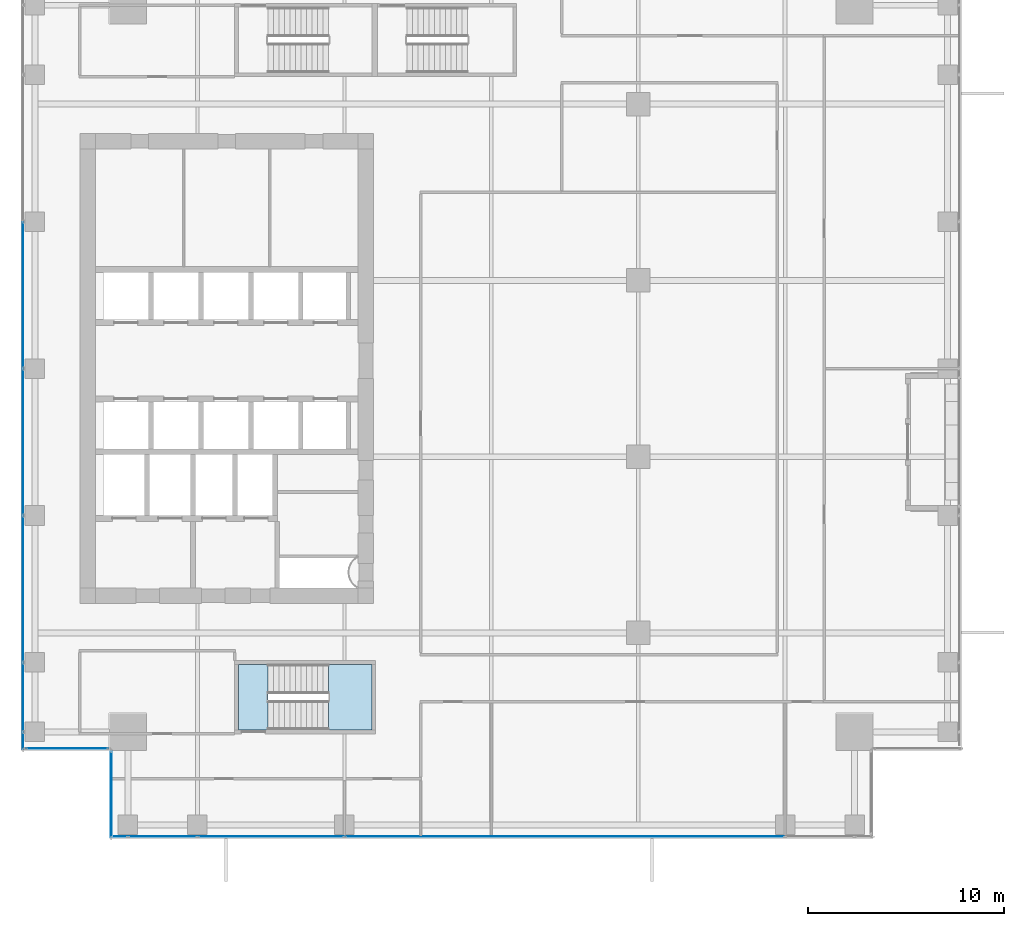
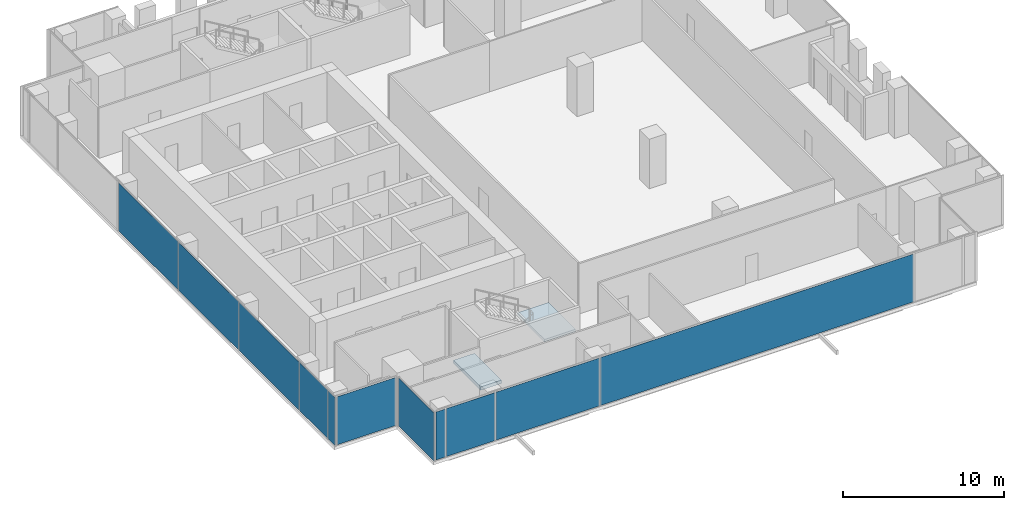
# One storey, part 29 of 40: 11 plates, 2 slabs, 5 elements without a shape of their own.
"""IFC4 building model written with IfcOpenShell, lengths in metres."""

from ifc_helpers import new_model, si_unit, direction, frame, origin, origin_2d, place, context, subcontext, project, spatial, polyline, rectangle, outline, extrude, source, transform, mapped, material, layer, layer_set, type_object, element, aggregate, save


model = new_model("IFC4")

# Units and contexts
model_context = context("Model", 3, precision=1e-05, world=origin(), true_north=direction((0.0, 1.0)))
body_context = subcontext(model_context, "Body", "Model", "MODEL_VIEW")
ifc_project = project(units=[si_unit("LENGTHUNIT", "METRE"), si_unit("AREAUNIT", "SQUARE_METRE"), si_unit("VOLUMEUNIT", "CUBIC_METRE"), si_unit("PLANEANGLEUNIT", "RADIAN"), si_unit("MASSUNIT", "GRAM", prefix="KILO")], contexts=[model_context])

# Site, building, storey
site_placement = place(None, origin())
site = spatial("IfcSite", under=ifc_project, at=site_placement, CompositionType="ELEMENT")
building_placement = place(site_placement, origin())
building = spatial("IfcBuilding", under=site, at=building_placement, Name="Khomas Fold Tower", CompositionType="ELEMENT")
storey_placement = place(building_placement, frame((0.0, 0.0, 204.699951171875)))
storey = spatial("IfcBuildingStorey", under=building, at=storey_placement, Name="L45", CompositionType="ELEMENT", Elevation=204.699951171875)

# Curtain wall, plate
ifc_material_1 = material(Name="Aluminium framed double glazing", Category="aluminium")
curtain_wall_type = type_object("IfcCurtainWallType", Name="SK-Unitised clear-glass wall, office floors CW2", PredefinedType="NOTDEFINED", material=ifc_material_1)
curtain_wall_1_placement = place(storey_placement, origin())
curtain_wall_1 = element("IfcCurtainWall", 1, at=curtain_wall_1_placement, inside=storey, type_object=curtain_wall_type, Name="CW2 corner return L45 11", PredefinedType="NOTDEFINED")
ifc_material_2 = material(Name="Clear double glazed unit")
ifc_layer_1 = layer(ifc_material_2, 0.030029296875)
ifc_layer_set_1 = layer_set([ifc_layer_1], Name="Clear double glazed unit")
plate_type = type_object("IfcPlateType", Name="SK-Unitised clear-glass wall, office floors glass panel CW2-P", PredefinedType="CURTAIN_PANEL", material=ifc_layer_set_1)
shared_shape_1 = source(origin(), body_context, "Body", "SweptSolid", [
    extrude(rectangle(XDim=4.3798828125, YDim=0.030029296875, at=origin_2d()), origin(), (0.0, 0.0, 1.0), 3.639892578125),
])
plate_1_placement = place(storey_placement, frame((7.60009765625, 5.25, 0.0), z_axis=(0.0, 0.0, 1.0), x_axis=(0.0, -1.0, 0.0)))
plate_1 = element("IfcPlate", 2, at=plate_1_placement, type_object=plate_type, Name="CW2 glass panel 1", PredefinedType="CURTAIN_PANEL", context=body_context, shape_type="MappedRepresentation", body=[
    mapped(shared_shape_1, transform((0.0, 0.0, 0.0))),
])
aggregate(curtain_wall_1, [plate_1])

# Curtain wall, plates
curtain_wall_2_placement = place(storey_placement, origin())
curtain_wall_2 = element("IfcCurtainWall", 3, at=curtain_wall_2_placement, inside=storey, type_object=curtain_wall_type, Name="CW2 run L45 00-0", PredefinedType="NOTDEFINED")
shared_shape_2 = source(origin(), body_context, "Body", "SweptSolid", [
    extrude(rectangle(XDim=0.659912109375, YDim=0.030029296875, at=origin_2d()), origin(), (0.0, 0.0, 1.0), 3.639892578125),
])
plate_2_placement = place(storey_placement, frame((8.090087890625, 3.10009765625, 0.0), z_axis=(0.0, 0.0, 1.0), x_axis=(1.0, 0.0, 0.0)))
plate_2 = element("IfcPlate", 4, at=plate_2_placement, type_object=plate_type, Name="CW2 glass panel 1", PredefinedType="CURTAIN_PANEL", context=body_context, shape_type="MappedRepresentation", body=[
    mapped(shared_shape_2, transform((0.0, 0.0, 0.0))),
])
shared_shape_3 = source(origin(), body_context, "Body", "SweptSolid", [
    extrude(rectangle(XDim=3.489990234375, YDim=0.030029296875, at=origin_2d()), origin(), (0.0, 0.0, 1.0), 3.639892578125),
])
plate_3_placement = place(storey_placement, frame((10.22509765625, 3.10009765625, 0.0), z_axis=(0.0, 0.0, 1.0), x_axis=(1.0, 0.0, 0.0)))
plate_3 = element("IfcPlate", 5, at=plate_3_placement, type_object=plate_type, Name="CW2 glass panel 2", PredefinedType="CURTAIN_PANEL", context=body_context, shape_type="MappedRepresentation", body=[
    mapped(shared_shape_3, transform((0.0, 0.0, 0.0))),
])

# Curtain wall, plate
curtain_wall_3_placement = place(storey_placement, origin())
curtain_wall_3 = element("IfcCurtainWall", 6, at=curtain_wall_3_placement, inside=storey, type_object=curtain_wall_type, Name="CW2 run L45 09-0", PredefinedType="NOTDEFINED")
plate_4_placement = place(storey_placement, frame((3.10009765625, 10.22509765625, 0.0), z_axis=(0.0, 0.0, 1.0), x_axis=(0.0, -1.0, 0.0)))
plate_4 = element("IfcPlate", 7, at=plate_4_placement, type_object=plate_type, Name="CW2 glass panel 7", PredefinedType="CURTAIN_PANEL", context=body_context, shape_type="MappedRepresentation", body=[
    mapped(shared_shape_3, transform((0.0, 0.0, 0.0))),
])

# Plate
shared_shape_4 = source(origin(), body_context, "Body", "SweptSolid", [
    extrude(rectangle(XDim=7.43994140625, YDim=0.030029296875, at=origin_2d()), origin(), (0.0, 0.0, 1.0), 3.639892578125),
])
plate_5_placement = place(storey_placement, frame((15.75, 3.10009765625, 0.0), z_axis=(0.0, 0.0, 1.0), x_axis=(1.0, 0.0, 0.0)))
plate_5 = element("IfcPlate", 8, at=plate_5_placement, type_object=plate_type, Name="CW2 glass panel 3", PredefinedType="CURTAIN_PANEL", context=body_context, shape_type="MappedRepresentation", body=[
    mapped(shared_shape_4, transform((0.0, 0.0, 0.0))),
])

plate_6_placement = place(storey_placement, frame((3.10009765625, 30.75, 0.0), z_axis=(0.0, 0.0, 1.0), x_axis=(0.0, -1.0, 0.0)))
plate_6 = element("IfcPlate", 9, at=plate_6_placement, type_object=plate_type, Name="CW2 glass panel 4", PredefinedType="CURTAIN_PANEL", context=body_context, shape_type="MappedRepresentation", body=[
    mapped(shared_shape_4, transform((0.0, 0.0, 0.0))),
])

plate_7_placement = place(storey_placement, frame((3.10009765625, 23.25, 0.0), z_axis=(0.0, 0.0, 1.0), x_axis=(0.0, -1.0, 0.0)))
plate_7 = element("IfcPlate", 10, at=plate_7_placement, type_object=plate_type, Name="CW2 glass panel 5", PredefinedType="CURTAIN_PANEL", context=body_context, shape_type="MappedRepresentation", body=[
    mapped(shared_shape_4, transform((0.0, 0.0, 0.0))),
])

plate_8_placement = place(storey_placement, frame((3.10009765625, 15.75, 0.0), z_axis=(0.0, 0.0, 1.0), x_axis=(0.0, -1.0, 0.0)))
plate_8 = element("IfcPlate", 11, at=plate_8_placement, type_object=plate_type, Name="CW2 glass panel 6", PredefinedType="CURTAIN_PANEL", context=body_context, shape_type="MappedRepresentation", body=[
    mapped(shared_shape_4, transform((0.0, 0.0, 0.0))),
])

# Curtain wall, plate
curtain_wall_4_placement = place(storey_placement, origin())
curtain_wall_4 = element("IfcCurtainWall", 12, at=curtain_wall_4_placement, inside=storey, type_object=curtain_wall_type, Name="CW2 corner return L45 10", PredefinedType="NOTDEFINED")
shared_shape_5 = source(origin(), body_context, "Body", "SweptSolid", [
    extrude(rectangle(XDim=4.179931640625, YDim=0.030029296875, at=origin_2d()), origin(), (0.0, 0.0, 1.0), 3.639892578125),
])
plate_9_placement = place(storey_placement, frame((5.35009765625, 7.60009765625, 0.0), z_axis=(0.0, 0.0, 1.0), x_axis=(1.0, 0.0, 0.0)))
plate_9 = element("IfcPlate", 13, at=plate_9_placement, type_object=plate_type, Name="CW2 glass panel 1", PredefinedType="CURTAIN_PANEL", context=body_context, shape_type="MappedRepresentation", body=[
    mapped(shared_shape_5, transform((0.0, 0.0, 0.0))),
])
aggregate(curtain_wall_4, [plate_9])

# Plate
shared_shape_6 = source(origin(), body_context, "Body", "SweptSolid", [
    extrude(rectangle(XDim=0.860107421875, YDim=0.030029296875, at=origin_2d()), origin(), (0.0, 0.0, 1.0), 3.639892578125),
])
plate_10_placement = place(storey_placement, frame((3.10009765625, 7.989990234375, 0.0), z_axis=(0.0, 0.0, 1.0), x_axis=(0.0, -1.0, 0.0)))
plate_10 = element("IfcPlate", 14, at=plate_10_placement, type_object=plate_type, Name="CW2 glass panel 8", PredefinedType="CURTAIN_PANEL", context=body_context, shape_type="MappedRepresentation", body=[
    mapped(shared_shape_6, transform((0.0, 0.0, 0.0))),
])

aggregate(curtain_wall_3, [plate_6, plate_7, plate_8, plate_4, plate_10])

shared_shape_7 = source(origin(), body_context, "Body", "SweptSolid", [
    extrude(rectangle(XDim=22.43994140625, YDim=0.030029296875, at=origin_2d()), origin(), (0.0, 0.0, 1.0), 3.639892578125),
])
plate_11_placement = place(storey_placement, frame((30.75, 3.10009765625, 0.0), z_axis=(0.0, 0.0, 1.0), x_axis=(1.0, 0.0, 0.0)))
plate_11 = element("IfcPlate", 15, at=plate_11_placement, type_object=plate_type, Name="CW2 glass panel 4", PredefinedType="CURTAIN_PANEL", context=body_context, shape_type="MappedRepresentation", body=[
    mapped(shared_shape_7, transform((0.0, 0.0, 0.0))),
])

aggregate(curtain_wall_2, [plate_2, plate_3, plate_5, plate_11])

# Stair, slab
ifc_material_3 = material(Name="Concrete C40/50", Category="concrete")
stair_type = type_object("IfcStairType", Name="Stair ST2", PredefinedType="HALF_TURN_STAIR", material=ifc_material_3)
stair_placement = place(storey_placement, origin())
stair = element("IfcStair", 16, at=stair_placement, inside=storey, type_object=stair_type, Name="L45 ST2", PredefinedType="HALF_TURN_STAIR")
ifc_material_4 = material(Name="Concrete C40/50", Category="concrete")
ifc_layer_2 = layer(ifc_material_4, 0.199951171875)
ifc_layer_set_2 = layer_set([ifc_layer_2], Name="Concrete C40/50")
slab_type_1 = type_object("IfcSlabType", Name="Stair landing 200", PredefinedType="LANDING", material=ifc_layer_set_2)
shared_shape_8 = source(origin(), body_context, "Body", "SweptSolid", [
    extrude(outline(polyline([(18.679931640625, 8.550048828125), (20.89990234375, 8.550048828125), (20.89990234375, 11.89990234375), (18.679931640625, 11.89990234375), (18.679931640625, 8.550048828125)])), origin(), (0.0, 0.0, 1.0), 0.199951171875),
])
slab_1_placement = place(storey_placement, frame((0.0, 0.0, 1.800048828125)))
slab_1 = element("IfcSlab", 17, at=slab_1_placement, type_object=slab_type_1, Name="ST2 landing 1", PredefinedType="LANDING", context=body_context, shape_type="MappedRepresentation", body=[
    mapped(shared_shape_8, transform((0.0, 0.0, 0.0))),
])
aggregate(stair, [slab_1])

# Slab
ifc_material_5 = material(Name="Concrete C40/50", Category="concrete")
ifc_layer_3 = layer(ifc_material_5, 0.25)
ifc_layer_set_3 = layer_set([ifc_layer_3], Name="Concrete C40/50")
slab_type_2 = type_object("IfcSlabType", Name="Stair floor landing 250", PredefinedType="LANDING", material=ifc_layer_set_3)
shared_shape_9 = source(origin(), body_context, "Body", "SweptSolid", [
    extrude(outline(polyline([(15.60009765625, 8.550048828125), (14.10009765625, 8.550048828125), (14.10009765625, 11.89990234375), (15.60009765625, 11.89990234375), (15.60009765625, 8.550048828125)])), origin(), (0.0, 0.0, 1.0), 0.25),
])
slab_2_placement = place(storey_placement, frame((0.0, 0.0, -0.25)))
element("IfcSlab", 18, at=slab_2_placement, inside=storey, type_object=slab_type_2, Name="ST2 floor landing", PredefinedType="LANDING", context=body_context, shape_type="MappedRepresentation", body=[
    mapped(shared_shape_9, transform((0.0, 0.0, 0.0))),
])

save(model, "model.ifc")
